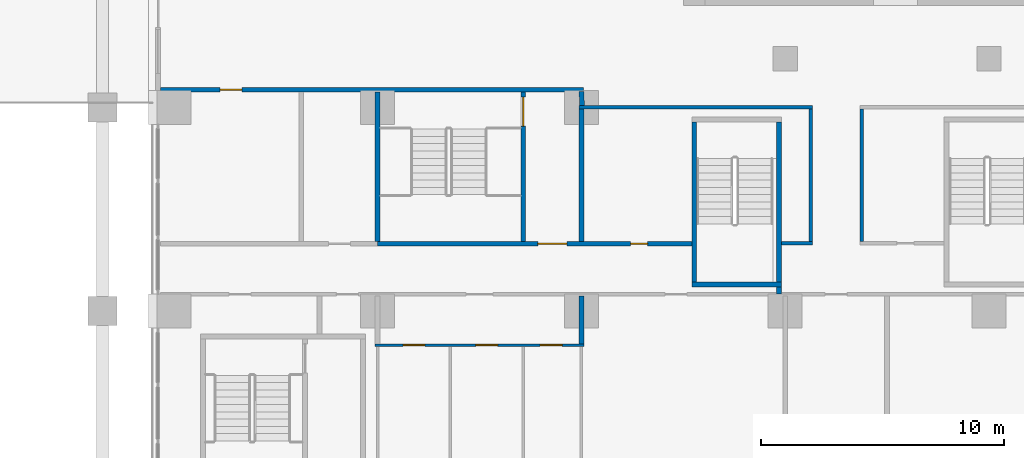
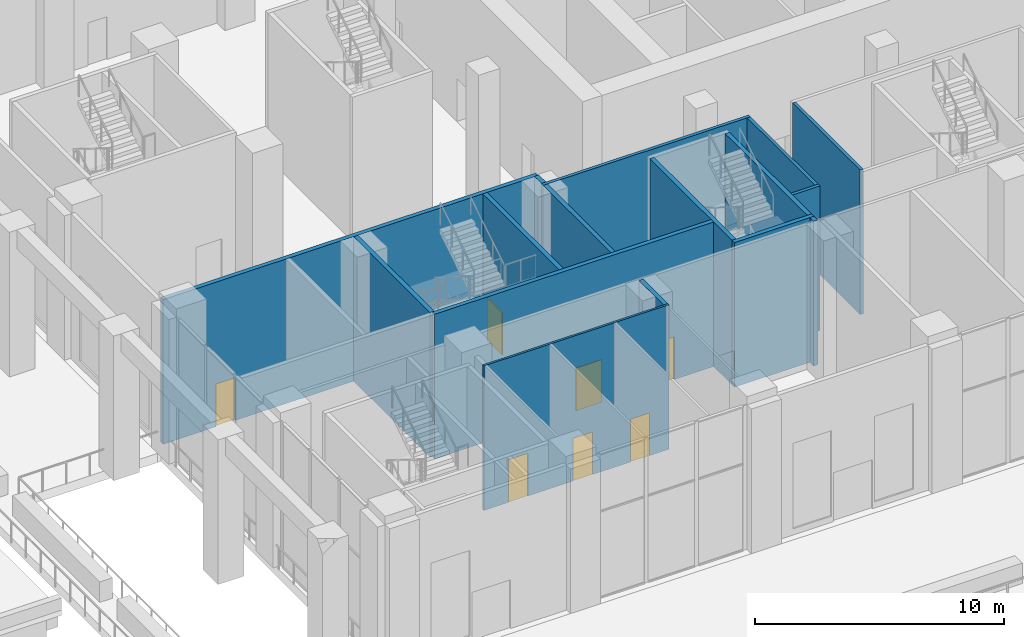
# One storey, part 20 of 53: 15 walls, 7 doors, 7 openings.
"""IFC4 building model written with IfcOpenShell, lengths in metres."""

from ifc_helpers import new_model, si_unit, direction, frame, frame_2d, origin, place, context, subcontext, project, spatial, rectangle, extrude, material, layer, layer_set, type_object, element, fill, save


model = new_model("IFC4")

# Units and contexts
model_context = context("Model", 3, precision=1e-05, world=origin(), true_north=direction((0.0, 1.0)))
body_context = subcontext(model_context, "Body", "Model", "MODEL_VIEW")
ifc_project = project(units=[si_unit("LENGTHUNIT", "METRE"), si_unit("AREAUNIT", "SQUARE_METRE"), si_unit("VOLUMEUNIT", "CUBIC_METRE"), si_unit("PLANEANGLEUNIT", "RADIAN"), si_unit("MASSUNIT", "GRAM", prefix="KILO")], contexts=[model_context])

# Site, building, storey
site_placement = place(None, origin())
site = spatial("IfcSite", under=ifc_project, at=site_placement, CompositionType="ELEMENT")
building_placement = place(site_placement, origin())
building = spatial("IfcBuilding", under=site, at=building_placement, Name="Vermilion Ogive Tower", CompositionType="ELEMENT")
storey_placement = place(building_placement, origin())
storey = spatial("IfcBuildingStorey", under=building, at=storey_placement, Name="L00", CompositionType="ELEMENT", Elevation=0.0)

# Wall, openings, doors
ifc_material_1 = material(Name="Gypsum board partition on steel studs", Category="steel")
ifc_layer_1 = layer(ifc_material_1, 0.10009765625)
ifc_layer_set_1 = layer_set([ifc_layer_1], Name="Partition 100 bath")
wall_type_1 = type_object("IfcWallType", Name="Partition 100 bath", PredefinedType="PARTITIONING", material=ifc_layer_set_1)
wall_1_placement = place(storey_placement, frame((-25.300048828125, -22.39990234375, 0.0), z_axis=(0.0, 0.0, 1.0), x_axis=(1.0, 0.0, 0.0)))
wall_1 = element("IfcWall", 1, at=wall_1_placement, inside=storey, type_object=wall_type_1, Name="L00-FS-W-W006", PredefinedType="PARTITIONING", context=body_context, shape_type="SweptSolid", body=[
    extrude(rectangle(XDim=8.60009765625, YDim=0.10009765625, at=frame_2d((4.300048828125, 0.0))), origin(), (0.0, 0.0, 1.0), 7.10009765625),
])
opening_1_placement = place(wall_1_placement, frame((1.150146484375, 0.0, 0.0)))
opening_1 = element("IfcOpeningElement", 2, at=opening_1_placement, cuts=wall_1, Name="Opening L00S033", PredefinedType="OPENING", context=body_context, shape_type="SweptSolid", body=[
    extrude(rectangle(XDim=0.89990234375, YDim=2.10009765625, at=frame_2d((0.449951171875, 1.050048828125))), frame((0.0, 0.06005859375, 0.0), z_axis=(0.0, -1.0, 0.0), x_axis=(1.0, 0.0, 0.0)), (0.0, 0.0, 1.0), 0.1201171875),
])
opening_2_placement = place(wall_1_placement, frame((4.150146484375, 0.0, 0.0)))
opening_2 = element("IfcOpeningElement", 3, at=opening_2_placement, cuts=wall_1, Name="Opening L00S034", PredefinedType="OPENING", context=body_context, shape_type="SweptSolid", body=[
    extrude(rectangle(XDim=0.89990234375, YDim=2.10009765625, at=frame_2d((0.449951171875, 1.050048828125))), frame((0.0, 0.06005859375, 0.0), z_axis=(0.0, -1.0, 0.0), x_axis=(1.0, 0.0, 0.0)), (0.0, 0.0, 1.0), 0.1201171875),
])
opening_3_placement = place(wall_1_placement, frame((6.800048828125, 0.0, 0.0)))
opening_3 = element("IfcOpeningElement", 4, at=opening_3_placement, cuts=wall_1, Name="Opening L00S035", PredefinedType="OPENING", context=body_context, shape_type="SweptSolid", body=[
    extrude(rectangle(XDim=0.89990234375, YDim=2.10009765625, at=frame_2d((0.449951171875, 1.050048828125))), frame((0.0, 0.06005859375, 0.0), z_axis=(0.0, -1.0, 0.0), x_axis=(1.0, 0.0, 0.0)), (0.0, 0.0, 1.0), 0.1201171875),
])
ifc_material_2 = material(Name="Timber door leaf", Category="wood")
door_type_1 = type_object("IfcDoorType", Name="Room door 900 x 2100 FD30", OperationType="SINGLE_SWING_LEFT", PredefinedType="DOOR", material=ifc_material_2)
door_1_placement = place(opening_1_placement, origin())
door_1 = element("IfcDoor", 5, at=door_1_placement, inside=storey, type_object=door_type_1, Name="L00-FS-D-D033", OperationType="SINGLE_SWING_RIGHT", OverallHeight=2.10009765625, OverallWidth=0.89990234375, PredefinedType="DOOR", context=body_context, shape_type="SweptSolid", body=[
    extrude(rectangle(XDim=0.89990234375, YDim=2.10009765625, at=frame_2d((0.449951171875, 1.050048828125))), frame((0.0, 0.02490234375, 0.0), z_axis=(0.0, -1.0, 0.0), x_axis=(1.0, 0.0, 0.0)), (0.0, 0.0, 1.0), 0.050048828125),
])
fill(opening_1, door_1)
door_2_placement = place(opening_2_placement, origin())
door_2 = element("IfcDoor", 6, at=door_2_placement, inside=storey, type_object=door_type_1, Name="L00-FS-D-D034", OperationType="SINGLE_SWING_RIGHT", OverallHeight=2.10009765625, OverallWidth=0.89990234375, PredefinedType="DOOR", context=body_context, shape_type="SweptSolid", body=[
    extrude(rectangle(XDim=0.89990234375, YDim=2.10009765625, at=frame_2d((0.449951171875, 1.050048828125))), frame((0.0, 0.02490234375, 0.0), z_axis=(0.0, -1.0, 0.0), x_axis=(1.0, 0.0, 0.0)), (0.0, 0.0, 1.0), 0.050048828125),
])
fill(opening_2, door_2)
door_3_placement = place(opening_3_placement, origin())
door_3 = element("IfcDoor", 7, at=door_3_placement, inside=storey, type_object=door_type_1, Name="L00-FS-D-D035", OperationType="SINGLE_SWING_RIGHT", OverallHeight=2.10009765625, OverallWidth=0.89990234375, PredefinedType="DOOR", context=body_context, shape_type="SweptSolid", body=[
    extrude(rectangle(XDim=0.89990234375, YDim=2.10009765625, at=frame_2d((0.449951171875, 1.050048828125))), frame((0.0, 0.02490234375, 0.0), z_axis=(0.0, -1.0, 0.0), x_axis=(1.0, 0.0, 0.0)), (0.0, 0.0, 1.0), 0.050048828125),
])
fill(opening_3, door_3)

# Walls
ifc_material_3 = material(Name="Gypsum board partition on steel studs", Category="steel")
ifc_layer_2 = layer(ifc_material_3, 0.14990234375)
ifc_layer_set_2 = layer_set([ifc_layer_2], Name="Partition 150 corridor")
wall_type_2 = type_object("IfcWallType", Name="Partition 150 corridor", PredefinedType="PARTITIONING", material=ifc_layer_set_2)
wall_2_placement = place(storey_placement, frame((-8.550048828125, -18.199951171875, 0.0), z_axis=(0.0, 0.0, 1.0), x_axis=(1.0, 0.0, 0.0)))
element("IfcWall", 8, at=wall_2_placement, inside=storey, type_object=wall_type_2, Name="L00-FS-W-W016", PredefinedType="PARTITIONING", context=body_context, shape_type="SweptSolid", body=[
    extrude(rectangle(XDim=1.275146484375, YDim=0.14990234375, at=frame_2d((0.6376953125, 0.0))), origin(), (0.0, 0.0, 1.0), 7.10009765625),
])
wall_3_placement = place(storey_placement, frame((-16.89990234375, -12.60009765625, 0.0), z_axis=(0.0, 0.0, 1.0), x_axis=(1.0, 0.0, 0.0)))
element("IfcWall", 9, at=wall_3_placement, inside=storey, type_object=wall_type_2, Name="L00-FS-W-W022", PredefinedType="PARTITIONING", context=body_context, shape_type="SweptSolid", body=[
    extrude(rectangle(XDim=9.625, YDim=0.14990234375, at=frame_2d((4.8125, 0.0))), origin(), (0.0, 0.0, 1.0), 7.10009765625),
])
for number, where, z_axis, x_axis, name in (
    (10, (-7.35009765625, -18.125, 0.0), (0.0, 0.0, 1.0), (0.0, 1.0, 0.0), "L00-FS-W-W078"),
    (11, (-5.25, -18.125, 0.0), (0.0, 0.0, 1.0), (0.0, 1.0, 0.0), "L00-FS-W-W079"),
):
    element("IfcWall", number, at=place(storey_placement, frame(where, z_axis=z_axis, x_axis=x_axis)), inside=storey, type_object=wall_type_2, Name=name, PredefinedType="PARTITIONING", context=body_context, shape_type="SweptSolid", body=[
        extrude(rectangle(XDim=5.449951171875, YDim=0.14990234375, at=frame_2d((2.72509765625, 0.0))), origin(), (0.0, 0.0, 1.0), 7.10009765625),
    ])
ifc_material_4 = material(Name="Gypsum board partition on steel studs", Category="steel")
ifc_layer_3 = layer(ifc_material_4, 0.199951171875)
ifc_layer_set_3 = layer_set([ifc_layer_3], Name="Partition 200 party")
wall_type_3 = type_object("IfcWallType", Name="Partition 200 party", PredefinedType="PARTITIONING", material=ifc_layer_set_3)
wall_4_placement = place(storey_placement, frame((-16.800048828125, -22.35009765625, 0.0), z_axis=(0.0, 0.0, 1.0), x_axis=(0.0, 1.0, 0.0)))
element("IfcWall", 12, at=wall_4_placement, inside=storey, type_object=wall_type_3, Name="L00-FS-W-W071", PredefinedType="PARTITIONING", context=body_context, shape_type="SweptSolid", body=[
    extrude(rectangle(XDim=1.97509765625, YDim=0.199951171875, at=frame_2d((0.987548828125, 0.0))), origin(), (0.0, 0.0, 1.0), 7.10009765625),
])
wall_5_placement = place(storey_placement, frame((-16.800048828125, -18.125, 0.0), z_axis=(0.0, 0.0, 1.0), x_axis=(0.0, 1.0, 0.0)))
element("IfcWall", 13, at=wall_5_placement, inside=storey, type_object=wall_type_3, Name="L00-FS-W-W072", PredefinedType="PARTITIONING", context=body_context, shape_type="SweptSolid", body=[
    extrude(rectangle(XDim=5.449951171875, YDim=0.199951171875, at=frame_2d((2.72509765625, 0.0))), origin(), (0.0, 0.0, 1.0), 7.10009765625),
])

# Wall, openings, doors
ifc_material_5 = material(Name="Concrete B60", Category="concrete")
ifc_layer_4 = layer(ifc_material_5, 0.199951171875)
ifc_layer_set_4 = layer_set([ifc_layer_4], Name="Stair shaft wall 200 Concrete B60")
wall_type_4 = type_object("IfcWallType", Name="Stair shaft wall 200 Concrete B60", PredefinedType="SOLIDWALL", material=ifc_layer_set_4)
wall_6_placement = place(storey_placement, frame((-25.199951171875, -18.224853515625, 0.0), z_axis=(0.0, 0.0, 1.0), x_axis=(1.0, 0.0, 0.0)))
wall_6 = element("IfcWall", 14, at=wall_6_placement, inside=storey, type_object=wall_type_4, Name="L00-FS-W-W015", PredefinedType="SOLIDWALL", context=body_context, shape_type="SweptSolid", body=[
    extrude(rectangle(XDim=12.949951171875, YDim=0.199951171875, at=frame_2d((6.47509765625, 0.0))), origin(), (0.0, 0.0, 1.0), 7.10009765625),
])
opening_4_placement = place(wall_6_placement, frame((6.599853515625, 0.0, 0.0)))
opening_4 = element("IfcOpeningElement", 15, at=opening_4_placement, cuts=wall_6, Name="Opening L00S020", PredefinedType="OPENING", context=body_context, shape_type="SweptSolid", body=[
    extrude(rectangle(XDim=1.199951171875, YDim=2.10009765625, at=frame_2d((0.60009765625, 1.050048828125))), frame((0.0, 0.10986328125, 0.0), z_axis=(0.0, -1.0, 0.0), x_axis=(1.0, 0.0, 0.0)), (0.0, 0.0, 1.0), 0.219970703125),
])
opening_5_placement = place(wall_6_placement, frame((10.425048828125, 0.0, 0.0)))
opening_5 = element("IfcOpeningElement", 16, at=opening_5_placement, cuts=wall_6, Name="Opening L00S064", PredefinedType="OPENING", context=body_context, shape_type="SweptSolid", body=[
    extrude(rectangle(XDim=0.699951171875, YDim=2.10009765625, at=frame_2d((0.35009765625, 1.050048828125))), frame((0.0, 0.10986328125, 0.0), z_axis=(0.0, -1.0, 0.0), x_axis=(1.0, 0.0, 0.0)), (0.0, 0.0, 1.0), 0.219970703125),
])
ifc_material_6 = material(Name="Timber door leaf", Category="wood")
door_type_2 = type_object("IfcDoorType", Name="Room door 700 x 2100 FD30", OperationType="SINGLE_SWING_LEFT", PredefinedType="DOOR", material=ifc_material_6)
door_4_placement = place(opening_5_placement, origin())
door_4 = element("IfcDoor", 17, at=door_4_placement, inside=storey, type_object=door_type_2, Name="L00-FS-D-D064", OperationType="SINGLE_SWING_RIGHT", OverallHeight=2.10009765625, OverallWidth=0.699951171875, PredefinedType="DOOR", context=body_context, shape_type="SweptSolid", body=[
    extrude(rectangle(XDim=0.699951171875, YDim=2.10009765625, at=frame_2d((0.35009765625, 1.050048828125))), frame((0.0, 0.02490234375, 0.0), z_axis=(0.0, -1.0, 0.0), x_axis=(1.0, 0.0, 0.0)), (0.0, 0.0, 1.0), 0.050048828125),
])
fill(opening_5, door_4)
ifc_material_7 = material(Name="Timber door leaf", Category="wood")
door_type_3 = type_object("IfcDoorType", Name="Stair door 1200 x 2100 FD60S", OperationType="SINGLE_SWING_LEFT", PredefinedType="DOOR", material=ifc_material_7)
door_5_placement = place(opening_4_placement, origin())
door_5 = element("IfcDoor", 18, at=door_5_placement, inside=storey, type_object=door_type_3, Name="L00-FS-D-D020", OperationType="SINGLE_SWING_LEFT", OverallHeight=2.10009765625, OverallWidth=1.199951171875, PredefinedType="DOOR", context=body_context, shape_type="SweptSolid", body=[
    extrude(rectangle(XDim=1.199951171875, YDim=2.10009765625, at=frame_2d((0.60009765625, 1.050048828125))), frame((0.0, 0.02490234375, 0.0), z_axis=(0.0, -1.0, 0.0), x_axis=(1.0, 0.0, 0.0)), (0.0, 0.0, 1.0), 0.050048828125),
])
fill(opening_4, door_5)

# Wall, opening, door
wall_7_placement = place(storey_placement, frame((-34.14990234375, -11.875, 0.0), z_axis=(0.0, 0.0, 1.0), x_axis=(1.0, 0.0, 0.0)))
wall_7 = element("IfcWall", 19, at=wall_7_placement, inside=storey, type_object=wall_type_4, Name="L00-FS-W-W025", PredefinedType="SOLIDWALL", context=body_context, shape_type="SweptSolid", body=[
    extrude(rectangle(XDim=17.4248046875, YDim=0.199951171875, at=frame_2d((8.71240234375, 0.0))), origin(), (0.0, 0.0, 1.0), 7.10009765625),
])
opening_6_placement = place(wall_7_placement, frame((2.449951171875, 0.0, 0.0)))
opening_6 = element("IfcOpeningElement", 20, at=opening_6_placement, cuts=wall_7, Name="Opening L00S030", PredefinedType="OPENING", context=body_context, shape_type="SweptSolid", body=[
    extrude(rectangle(XDim=0.89990234375, YDim=2.10009765625, at=frame_2d((0.449951171875, 1.050048828125))), frame((0.0, 0.10986328125, 0.0), z_axis=(0.0, -1.0, 0.0), x_axis=(1.0, 0.0, 0.0)), (0.0, 0.0, 1.0), 0.219970703125),
])
door_6_placement = place(opening_6_placement, origin())
door_6 = element("IfcDoor", 21, at=door_6_placement, inside=storey, type_object=door_type_1, Name="L00-FS-D-D030", OperationType="SINGLE_SWING_LEFT", OverallHeight=2.10009765625, OverallWidth=0.89990234375, PredefinedType="DOOR", context=body_context, shape_type="SweptSolid", body=[
    extrude(rectangle(XDim=0.89990234375, YDim=2.10009765625, at=frame_2d((0.449951171875, 1.050048828125))), frame((0.0, 0.02490234375, 0.0), z_axis=(0.0, -1.0, 0.0), x_axis=(1.0, 0.0, 0.0)), (0.0, 0.0, 1.0), 0.050048828125),
])
fill(opening_6, door_6)

# Wall
wall_8_placement = place(storey_placement, frame((-25.199951171875, -18.125, 0.0), z_axis=(0.0, 0.0, 1.0), x_axis=(0.0, 1.0, 0.0)))
element("IfcWall", 22, at=wall_8_placement, inside=storey, type_object=wall_type_4, Name="L00-FS-W-W062", PredefinedType="SOLIDWALL", context=body_context, shape_type="SweptSolid", body=[
    extrude(rectangle(XDim=6.14990234375, YDim=0.199951171875, at=frame_2d((3.074951171875, 0.0))), origin(), (0.0, 0.0, 1.0), 7.10009765625),
])

# Wall, opening, door
wall_9_placement = place(storey_placement, frame((-19.199951171875, -18.125, 0.0), z_axis=(0.0, 0.0, 1.0), x_axis=(0.0, 1.0, 0.0)))
wall_9 = element("IfcWall", 23, at=wall_9_placement, inside=storey, type_object=wall_type_4, Name="L00-FS-W-W069", PredefinedType="SOLIDWALL", context=body_context, shape_type="SweptSolid", body=[
    extrude(rectangle(XDim=6.14990234375, YDim=0.199951171875, at=frame_2d((3.074951171875, 0.0))), origin(), (0.0, 0.0, 1.0), 7.10009765625),
])
opening_7_placement = place(wall_9_placement, frame((4.75, 0.0, 0.0)))
opening_7 = element("IfcOpeningElement", 24, at=opening_7_placement, cuts=wall_9, Name="Opening L00S004", PredefinedType="OPENING", context=body_context, shape_type="SweptSolid", body=[
    extrude(rectangle(XDim=1.199951171875, YDim=2.10009765625, at=frame_2d((0.60009765625, 1.050048828125))), frame((0.0, 0.10986328125, 0.0), z_axis=(0.0, -1.0, 0.0), x_axis=(1.0, 0.0, 0.0)), (0.0, 0.0, 1.0), 0.219970703125),
])
door_7_placement = place(opening_7_placement, origin())
door_7 = element("IfcDoor", 25, at=door_7_placement, inside=storey, type_object=door_type_3, Name="L00-FS-D-D004", OperationType="DOUBLE_DOOR_SINGLE_SWING", OverallHeight=2.10009765625, OverallWidth=1.199951171875, PredefinedType="DOOR", context=body_context, shape_type="SweptSolid", body=[
    extrude(rectangle(XDim=1.199951171875, YDim=2.10009765625, at=frame_2d((0.60009765625, 1.050048828125))), frame((0.0, 0.02490234375, 0.0), z_axis=(0.0, -1.0, 0.0), x_axis=(1.0, 0.0, 0.0)), (0.0, 0.0, 1.0), 0.050048828125),
])
fill(opening_7, door_7)

# Walls
wall_10_placement = place(storey_placement, frame((-16.775146484375, -12.52490234375, 0.0), z_axis=(0.0, 0.0, 1.0), x_axis=(-0.043289881256, 0.999062553688, 0.0)))
element("IfcWall", 26, at=wall_10_placement, inside=storey, type_object=wall_type_4, Name="L00-FS-W-W073", PredefinedType="SOLIDWALL", context=body_context, shape_type="SweptSolid", body=[
    extrude(rectangle(XDim=0.5751953125, YDim=0.199951171875, at=frame_2d((0.28759765625, 0.0))), origin(), (0.0, 0.0, 1.0), 7.10009765625),
])
wall_11_placement = place(storey_placement, frame((-12.25, -19.89990234375, 0.0), z_axis=(0.0, 0.0, 1.0), x_axis=(1.0, 0.0, 0.0)))
element("IfcWall", 27, at=wall_11_placement, inside=storey, type_object=wall_type_4, Name="L00-SW-ST3-S1", PredefinedType="SOLIDWALL", context=body_context, shape_type="SweptSolid", body=[
    extrude(rectangle(XDim=3.699951171875, YDim=0.199951171875, at=frame_2d((1.85009765625, 0.0))), origin(), (0.0, 0.0, 1.0), 7.10009765625),
])
wall_12_placement = place(storey_placement, frame((-12.14990234375, -19.800048828125, 0.0), z_axis=(0.0, 0.0, 1.0), x_axis=(0.0, 1.0, 0.0)))
element("IfcWall", 28, at=wall_12_placement, inside=storey, type_object=wall_type_4, Name="L00-SW-ST3-W1", PredefinedType="SOLIDWALL", context=body_context, shape_type="SweptSolid", body=[
    extrude(rectangle(XDim=6.60009765625, YDim=0.199951171875, at=frame_2d((3.300048828125, 0.0))), origin(), (0.0, 0.0, 1.0), 7.10009765625),
])
wall_13_placement = place(storey_placement, frame((-8.64990234375, -20.300048828125, 0.0), z_axis=(0.0, 0.0, 1.0), x_axis=(0.0, 1.0, 0.0)))
element("IfcWall", 29, at=wall_13_placement, inside=storey, type_object=wall_type_4, Name="L00-SW-ST3-E1", PredefinedType="SOLIDWALL", context=body_context, shape_type="SweptSolid", body=[
    extrude(rectangle(XDim=7.10009765625, YDim=0.199951171875, at=frame_2d((3.550048828125, 0.0))), origin(), (0.0, 0.0, 1.0), 7.10009765625),
])

save(model, "model.ifc")
